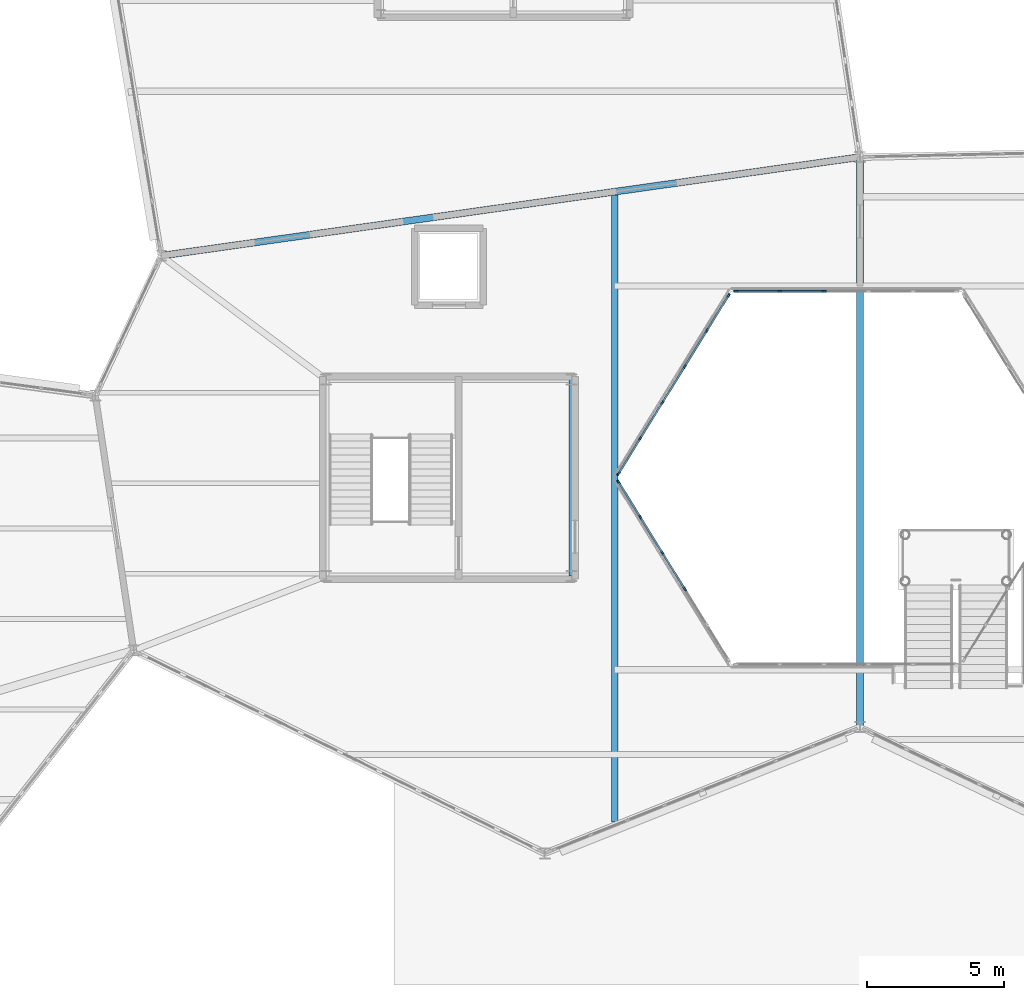
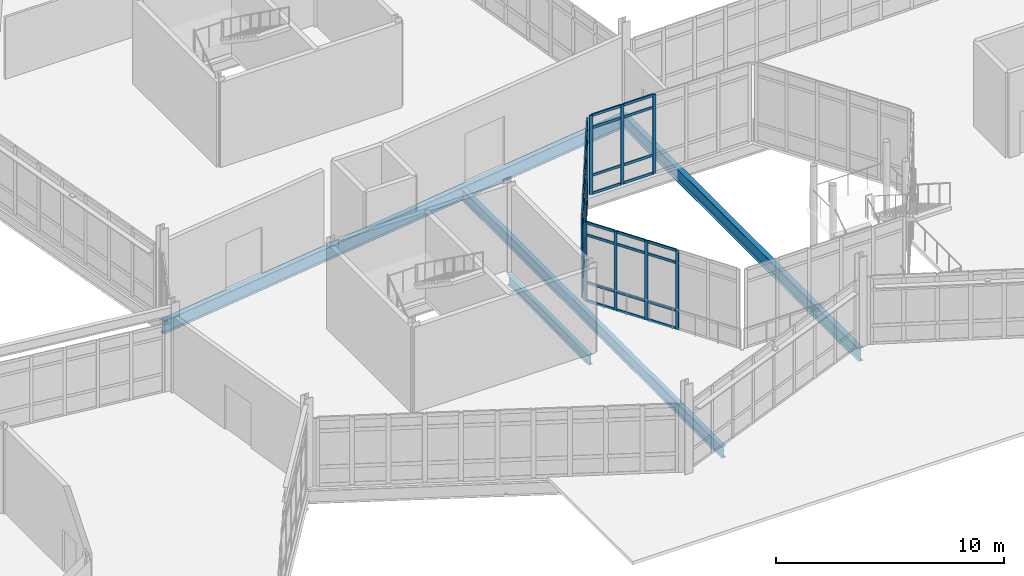
# One storey, part 43 of 134: 53 members, 4 beams, 3 elements without a shape of their own.
"""IFC4 building model written with IfcOpenShell, lengths in metres."""

from ifc_helpers import new_model, si_unit, direction, frame, origin, origin_2d, place, context, subcontext, project, spatial, rectangle, i_section, extrude, material, material_profile, profile_set, type_object, element, aggregate, save


model = new_model("IFC4")

# Units and contexts
model_context = context("Model", 3, precision=1e-05, world=origin(), true_north=direction((0.0, 1.0)))
body_context = subcontext(model_context, "Body", "Model", "MODEL_VIEW")
ifc_project = project(units=[si_unit("LENGTHUNIT", "METRE"), si_unit("AREAUNIT", "SQUARE_METRE"), si_unit("VOLUMEUNIT", "CUBIC_METRE"), si_unit("PLANEANGLEUNIT", "RADIAN"), si_unit("MASSUNIT", "GRAM", prefix="KILO")], contexts=[model_context])

# Site, building, storey
site_placement = place(None, origin())
site = spatial("IfcSite", under=ifc_project, at=site_placement, CompositionType="ELEMENT")
building_placement = place(site_placement, origin())
building = spatial("IfcBuilding", under=site, at=building_placement, Name="Tameran Prism Museum", CompositionType="ELEMENT")
storey_placement = place(building_placement, frame((0.0, 0.0, 5.39990234375)))
storey = spatial("IfcBuildingStorey", under=building, at=storey_placement, Name="L01", CompositionType="ELEMENT", Elevation=5.39990234375)

# Beams
ifc_material_1 = material(Name="Steel Grade 300PLUS (300 MPa)", Category="steel")
ifc_material_profile_1 = material_profile(ifc_material_1, i_section(OverallWidth=0.208984375, OverallDepth=0.528076171875, WebThickness=0.009521484375, FlangeThickness=0.01318359375, FilletRadius=0.013916015625, at=origin_2d()))
ifc_profile_set_1 = profile_set([ifc_material_profile_1])
beam_type_1 = type_object("IfcBeamType", Name="BM-SP530B", PredefinedType="SPANDREL", material=ifc_profile_set_1)
beam_1_placement = place(storey_placement, frame((66.97998046875, 32.919921875, -0.50390625), z_axis=(0.0, 1.0, 0.0), x_axis=(-1.0, 0.0, 0.0)))
element("IfcBeam", 1, at=beam_1_placement, inside=storey, type_object=beam_type_1, Name="Core Ring Beam CTB-0451", PredefinedType="SPANDREL", context=body_context, shape_type="SweptSolid", body=[
    extrude(i_section(OverallWidth=0.208984375, OverallDepth=0.528076171875, WebThickness=0.009521484375, FlangeThickness=0.01318359375, FilletRadius=0.013916015625, at=origin_2d()), origin(), (0.0, 0.0, 1.0), 7.16015625),
])
ifc_material_2 = material(Name="Steel Grade 350 (350 MPa)", Category="steel")
ifc_material_profile_2 = material_profile(ifc_material_2, i_section(OverallWidth=0.25, OverallDepth=0.699951171875, WebThickness=0.010009765625, FlangeThickness=0.02001953125, at=origin_2d()))
ifc_profile_set_2 = profile_set([ifc_material_profile_2])
beam_type_2 = type_object("IfcBeamType", Name="BM-SP700", PredefinedType="SPANDREL", material=ifc_profile_set_2)
beam_2_placement = place(storey_placement, frame((77.5, 27.39990234375, -0.5498046875), z_axis=(0.0, 1.0, 0.0), x_axis=(-1.0, 0.0, 0.0)))
element("IfcBeam", 2, at=beam_2_placement, inside=storey, type_object=beam_type_2, Name="Perimeter Spandrel SP-0348", PredefinedType="SPANDREL", context=body_context, shape_type="SweptSolid", body=[
    extrude(i_section(OverallWidth=0.25, OverallDepth=0.699951171875, WebThickness=0.010009765625, FlangeThickness=0.02001953125, at=origin_2d()), origin(), (0.0, 0.0, 1.0), 20.800048828125),
])
beam_3_placement = place(storey_placement, frame((77.5, 48.199951171875, -0.5498046875), z_axis=(-0.990181921375, -0.139784700815, 0.0), x_axis=(0.139784700815, -0.990181921375, 0.0)))
element("IfcBeam", 3, at=beam_3_placement, inside=storey, type_object=beam_type_2, Name="Perimeter Spandrel SP-0349", PredefinedType="SPANDREL", context=body_context, shape_type="SweptSolid", body=[
    extrude(i_section(OverallWidth=0.25, OverallDepth=0.699951171875, WebThickness=0.010009765625, FlangeThickness=0.02001953125, at=origin_2d()), origin(), (0.0, 0.0, 1.0), 25.7529296875),
])
ifc_material_3 = material(Name="Steel Grade 300PLUS (300 MPa)", Category="steel")
ifc_material_profile_3 = material_profile(ifc_material_3, i_section(OverallWidth=0.22900390625, OverallDepth=0.612060546875, WebThickness=0.011962890625, FlangeThickness=0.01953125, FilletRadius=0.013916015625, at=origin_2d()))
ifc_profile_set_3 = profile_set([ifc_material_profile_3])
beam_type_3 = type_object("IfcBeamType", Name="BM-UB610A", PredefinedType="BEAM", material=ifc_profile_set_3)
beam_4_placement = place(storey_placement, frame((68.550048828125, 23.93798828125, -0.5458984375), z_axis=(0.0, 1.0, 0.0), x_axis=(-1.0, 0.0, 0.0)))
element("IfcBeam", 4, at=beam_4_placement, inside=storey, type_object=beam_type_3, Name="Atrium Opening Trimmer Girder AT-0496", PredefinedType="BEAM", context=body_context, shape_type="SweptSolid", body=[
    extrude(i_section(OverallWidth=0.22900390625, OverallDepth=0.612060546875, WebThickness=0.011962890625, FlangeThickness=0.01953125, FilletRadius=0.013916015625, at=origin_2d()), origin(), (0.0, 0.0, 1.0), 22.886962890625),
])

# Curtain wall, members
ifc_material_4 = material(Name="Anodised Aluminium 6063-T6 and Cyclone Solar Glass", Category="aluminium")
curtain_wall_type_1 = type_object("IfcCurtainWallType", Name="CW-ATR-769x424", PredefinedType="USERDEFINED", material=ifc_material_4)
curtain_wall_1_placement = place(storey_placement, origin())
curtain_wall_1 = element("IfcCurtainWall", 5, at=curtain_wall_1_placement, inside=storey, type_object=curtain_wall_type_1, Name="Unitised Curtain Wall CW-001", ObjectType="UNITISED CURTAIN WALL", PredefinedType="USERDEFINED")
ifc_material_5 = material(Name="Anodised Aluminium Alloy 6063-T6", Category="aluminium")
ifc_material_profile_4 = material_profile(ifc_material_5, rectangle(XDim=0.06494140625, YDim=0.159912109375, at=origin_2d()))
ifc_profile_set_4 = profile_set([ifc_material_profile_4])
member_type_1 = type_object("IfcMemberType", Name="CW-MUL-A", PredefinedType="MULLION", material=ifc_profile_set_4)
member_1_placement = place(storey_placement, frame((68.696044921875, 36.34423828125, 0.0), z_axis=(0.0, 0.0, 1.0), x_axis=(0.850791158897, 0.525503952357, 0.0)))
member_1 = element("IfcMember", 6, at=member_1_placement, type_object=member_type_1, Name="CW-001 mullion 1", PredefinedType="MULLION", context=body_context, shape_type="SweptSolid", body=[
    extrude(rectangle(XDim=0.06494140625, YDim=0.159912109375, at=origin_2d()), origin(), (0.0, 0.0, 1.0), 4.239990234375),
])
member_2_placement = place(storey_placement, frame((69.4873046875, 35.063232421875, 0.0), z_axis=(0.0, 0.0, 1.0), x_axis=(0.850791158897, 0.525503952357, 0.0)))
member_2 = element("IfcMember", 7, at=member_2_placement, type_object=member_type_1, Name="CW-001 mullion 2", PredefinedType="MULLION", context=body_context, shape_type="SweptSolid", body=[
    extrude(rectangle(XDim=0.06494140625, YDim=0.159912109375, at=origin_2d()), origin(), (0.0, 0.0, 1.0), 4.239990234375),
])
member_3_placement = place(storey_placement, frame((70.2958984375, 33.75439453125, 0.0), z_axis=(0.0, 0.0, 1.0), x_axis=(0.850791158897, 0.525503952357, 0.0)))
member_3 = element("IfcMember", 8, at=member_3_placement, type_object=member_type_1, Name="CW-001 mullion 3", PredefinedType="MULLION", context=body_context, shape_type="SweptSolid", body=[
    extrude(rectangle(XDim=0.06494140625, YDim=0.159912109375, at=origin_2d()), origin(), (0.0, 0.0, 1.0), 4.239990234375),
])
member_4_placement = place(storey_placement, frame((71.104248046875, 32.445556640625, 0.0), z_axis=(0.0, 0.0, 1.0), x_axis=(0.850791158897, 0.525503952357, 0.0)))
member_4 = element("IfcMember", 9, at=member_4_placement, type_object=member_type_1, Name="CW-001 mullion 4", PredefinedType="MULLION", context=body_context, shape_type="SweptSolid", body=[
    extrude(rectangle(XDim=0.06494140625, YDim=0.159912109375, at=origin_2d()), origin(), (0.0, 0.0, 1.0), 4.239990234375),
])

ifc_material_6 = material(Name="Anodised Aluminium 6063-T6 and Cyclone Solar Glass", Category="aluminium")
curtain_wall_type_2 = type_object("IfcCurtainWallType", Name="CW-ATR-810x424", PredefinedType="USERDEFINED", material=ifc_material_6)
curtain_wall_2_placement = place(storey_placement, origin())
curtain_wall_2 = element("IfcCurtainWall", 10, at=curtain_wall_2_placement, inside=storey, type_object=curtain_wall_type_2, Name="Unitised Curtain Wall CW-005", ObjectType="UNITISED CURTAIN WALL", PredefinedType="USERDEFINED")
member_5_placement = place(storey_placement, frame((76.18994140625, 43.300048828125, 0.0), z_axis=(0.0, 0.0, 1.0), x_axis=(0.0, -1.0, 0.0)))
member_5 = element("IfcMember", 11, at=member_5_placement, type_object=member_type_1, Name="CW-005 mullion 4", PredefinedType="MULLION", context=body_context, shape_type="SweptSolid", body=[
    extrude(rectangle(XDim=0.06494140625, YDim=0.159912109375, at=origin_2d()), origin(), (0.0, 0.0, 1.0), 4.239990234375),
])
member_6_placement = place(storey_placement, frame((74.570068359375, 43.300048828125, 0.0), z_axis=(0.0, 0.0, 1.0), x_axis=(0.0, -1.0, 0.0)))
member_6 = element("IfcMember", 12, at=member_6_placement, type_object=member_type_1, Name="CW-005 mullion 5", PredefinedType="MULLION", context=body_context, shape_type="SweptSolid", body=[
    extrude(rectangle(XDim=0.06494140625, YDim=0.159912109375, at=origin_2d()), origin(), (0.0, 0.0, 1.0), 4.239990234375),
])
member_7_placement = place(storey_placement, frame((72.982421875, 43.300048828125, 0.0), z_axis=(0.0, 0.0, 1.0), x_axis=(0.0, -1.0, 0.0)))
member_7 = element("IfcMember", 13, at=member_7_placement, type_object=member_type_1, Name="CW-005 mullion 6", PredefinedType="MULLION", context=body_context, shape_type="SweptSolid", body=[
    extrude(rectangle(XDim=0.06494140625, YDim=0.159912109375, at=origin_2d()), origin(), (0.0, 0.0, 1.0), 4.239990234375),
])

curtain_wall_3_placement = place(storey_placement, origin())
curtain_wall_3 = element("IfcCurtainWall", 14, at=curtain_wall_3_placement, inside=storey, type_object=curtain_wall_type_1, Name="Unitised Curtain Wall CW-006", ObjectType="UNITISED CURTAIN WALL", PredefinedType="USERDEFINED")
member_8_placement = place(storey_placement, frame((72.703857421875, 43.144287109375, 0.0), z_axis=(0.0, 0.0, 1.0), x_axis=(0.850791158897, -0.525503952357, 0.0)))
member_8 = element("IfcMember", 15, at=member_8_placement, type_object=member_type_1, Name="CW-006 mullion 1", PredefinedType="MULLION", context=body_context, shape_type="SweptSolid", body=[
    extrude(rectangle(XDim=0.06494140625, YDim=0.159912109375, at=origin_2d()), origin(), (0.0, 0.0, 1.0), 4.239990234375),
])
member_9_placement = place(storey_placement, frame((71.91259765625, 41.86328125, 0.0), z_axis=(0.0, 0.0, 1.0), x_axis=(0.850791158897, -0.525503952357, 0.0)))
member_9 = element("IfcMember", 16, at=member_9_placement, type_object=member_type_1, Name="CW-006 mullion 2", PredefinedType="MULLION", context=body_context, shape_type="SweptSolid", body=[
    extrude(rectangle(XDim=0.06494140625, YDim=0.159912109375, at=origin_2d()), origin(), (0.0, 0.0, 1.0), 4.239990234375),
])
member_10_placement = place(storey_placement, frame((71.104248046875, 40.554443359375, 0.0), z_axis=(0.0, 0.0, 1.0), x_axis=(0.850791158897, -0.525503952357, 0.0)))
member_10 = element("IfcMember", 17, at=member_10_placement, type_object=member_type_1, Name="CW-006 mullion 3", PredefinedType="MULLION", context=body_context, shape_type="SweptSolid", body=[
    extrude(rectangle(XDim=0.06494140625, YDim=0.159912109375, at=origin_2d()), origin(), (0.0, 0.0, 1.0), 4.239990234375),
])
member_11_placement = place(storey_placement, frame((70.2958984375, 39.24560546875, 0.0), z_axis=(0.0, 0.0, 1.0), x_axis=(0.850791158897, -0.525503952357, 0.0)))
member_11 = element("IfcMember", 18, at=member_11_placement, type_object=member_type_1, Name="CW-006 mullion 4", PredefinedType="MULLION", context=body_context, shape_type="SweptSolid", body=[
    extrude(rectangle(XDim=0.06494140625, YDim=0.159912109375, at=origin_2d()), origin(), (0.0, 0.0, 1.0), 4.239990234375),
])
member_12_placement = place(storey_placement, frame((69.4873046875, 37.936767578125, 0.0), z_axis=(0.0, 0.0, 1.0), x_axis=(0.850791158897, -0.525503952357, 0.0)))
member_12 = element("IfcMember", 19, at=member_12_placement, type_object=member_type_1, Name="CW-006 mullion 5", PredefinedType="MULLION", context=body_context, shape_type="SweptSolid", body=[
    extrude(rectangle(XDim=0.06494140625, YDim=0.159912109375, at=origin_2d()), origin(), (0.0, 0.0, 1.0), 4.239990234375),
])
member_13_placement = place(storey_placement, frame((68.696044921875, 36.65576171875, 0.0), z_axis=(0.0, 0.0, 1.0), x_axis=(0.850791158897, -0.525503952357, 0.0)))
member_13 = element("IfcMember", 20, at=member_13_placement, type_object=member_type_1, Name="CW-006 mullion 6", PredefinedType="MULLION", context=body_context, shape_type="SweptSolid", body=[
    extrude(rectangle(XDim=0.06494140625, YDim=0.159912109375, at=origin_2d()), origin(), (0.0, 0.0, 1.0), 4.239990234375),
])

# Member
ifc_material_7 = material(Name="Anodised Aluminium Alloy 6063-T6", Category="aluminium")
ifc_material_profile_5 = material_profile(ifc_material_7, rectangle(XDim=0.06494140625, YDim=0.139892578125, at=origin_2d()))
ifc_profile_set_5 = profile_set([ifc_material_profile_5])
member_type_2 = type_object("IfcMemberType", Name="CW-TRN-A", PredefinedType="USERDEFINED", material=ifc_profile_set_5)
member_14_placement = place(storey_placement, frame((68.713134765625, 36.316650390625, 0.03271484375), z_axis=(0.525467627301, -0.850813594543, 0.0), x_axis=(0.850813594543, 0.525467627301, 0.0)))
member_14 = element("IfcMember", 21, at=member_14_placement, type_object=member_type_2, Name="CW-001 transom 1.1", ObjectType="TRANSOM", PredefinedType="USERDEFINED", context=body_context, shape_type="SweptSolid", body=[
    extrude(rectangle(XDim=0.06494140625, YDim=0.139892578125, at=origin_2d()), origin(), (0.0, 0.0, 1.0), 1.440673828125),
])

member_15_placement = place(storey_placement, frame((68.713134765625, 36.316650390625, 1.0), z_axis=(0.525467627301, -0.850813594543, 0.0), x_axis=(0.850813594543, 0.525467627301, 0.0)))
member_15 = element("IfcMember", 22, at=member_15_placement, type_object=member_type_2, Name="CW-001 transom 1.2", ObjectType="TRANSOM", PredefinedType="USERDEFINED", context=body_context, shape_type="SweptSolid", body=[
    extrude(rectangle(XDim=0.06494140625, YDim=0.139892578125, at=origin_2d()), origin(), (0.0, 0.0, 1.0), 1.440673828125),
])

member_16_placement = place(storey_placement, frame((68.713134765625, 36.316650390625, 3.56005859375), z_axis=(0.525467627301, -0.850813594543, 0.0), x_axis=(0.850813594543, 0.525467627301, 0.0)))
member_16 = element("IfcMember", 23, at=member_16_placement, type_object=member_type_2, Name="CW-001 transom 1.3", ObjectType="TRANSOM", PredefinedType="USERDEFINED", context=body_context, shape_type="SweptSolid", body=[
    extrude(rectangle(XDim=0.06494140625, YDim=0.139892578125, at=origin_2d()), origin(), (0.0, 0.0, 1.0), 1.440673828125),
])

member_17_placement = place(storey_placement, frame((68.713134765625, 36.316650390625, 4.20751953125), z_axis=(0.525467627301, -0.850813594543, 0.0), x_axis=(0.850813594543, 0.525467627301, 0.0)))
member_17 = element("IfcMember", 24, at=member_17_placement, type_object=member_type_2, Name="CW-001 transom 1.4", ObjectType="TRANSOM", PredefinedType="USERDEFINED", context=body_context, shape_type="SweptSolid", body=[
    extrude(rectangle(XDim=0.06494140625, YDim=0.139892578125, at=origin_2d()), origin(), (0.0, 0.0, 1.0), 1.440673828125),
])

member_18_placement = place(storey_placement, frame((69.50439453125, 35.03564453125, 0.03271484375), z_axis=(0.525538735192, -0.850769673774, 0.0), x_axis=(0.850769673774, 0.525538735192, 0.0)))
member_18 = element("IfcMember", 25, at=member_18_placement, type_object=member_type_2, Name="CW-001 transom 2.1", ObjectType="TRANSOM", PredefinedType="USERDEFINED", context=body_context, shape_type="SweptSolid", body=[
    extrude(rectangle(XDim=0.06494140625, YDim=0.139892578125, at=origin_2d()), origin(), (0.0, 0.0, 1.0), 1.4736328125),
])

member_19_placement = place(storey_placement, frame((69.50439453125, 35.03564453125, 1.0), z_axis=(0.525538735192, -0.850769673774, 0.0), x_axis=(0.850769673774, 0.525538735192, 0.0)))
member_19 = element("IfcMember", 26, at=member_19_placement, type_object=member_type_2, Name="CW-001 transom 2.2", ObjectType="TRANSOM", PredefinedType="USERDEFINED", context=body_context, shape_type="SweptSolid", body=[
    extrude(rectangle(XDim=0.06494140625, YDim=0.139892578125, at=origin_2d()), origin(), (0.0, 0.0, 1.0), 1.4736328125),
])

member_20_placement = place(storey_placement, frame((69.50439453125, 35.03564453125, 3.56005859375), z_axis=(0.525538735192, -0.850769673774, 0.0), x_axis=(0.850769673774, 0.525538735192, 0.0)))
member_20 = element("IfcMember", 27, at=member_20_placement, type_object=member_type_2, Name="CW-001 transom 2.3", ObjectType="TRANSOM", PredefinedType="USERDEFINED", context=body_context, shape_type="SweptSolid", body=[
    extrude(rectangle(XDim=0.06494140625, YDim=0.139892578125, at=origin_2d()), origin(), (0.0, 0.0, 1.0), 1.4736328125),
])

member_21_placement = place(storey_placement, frame((69.50439453125, 35.03564453125, 4.20751953125), z_axis=(0.525538735192, -0.850769673774, 0.0), x_axis=(0.850769673774, 0.525538735192, 0.0)))
member_21 = element("IfcMember", 28, at=member_21_placement, type_object=member_type_2, Name="CW-001 transom 2.4", ObjectType="TRANSOM", PredefinedType="USERDEFINED", context=body_context, shape_type="SweptSolid", body=[
    extrude(rectangle(XDim=0.06494140625, YDim=0.139892578125, at=origin_2d()), origin(), (0.0, 0.0, 1.0), 1.4736328125),
])

member_22_placement = place(storey_placement, frame((70.31298828125, 33.726806640625, 0.03271484375), z_axis=(0.525418798442, -0.850843749606, 0.0), x_axis=(0.850843749606, 0.525418798442, 0.0)))
member_22 = element("IfcMember", 29, at=member_22_placement, type_object=member_type_2, Name="CW-001 transom 3.1", ObjectType="TRANSOM", PredefinedType="USERDEFINED", context=body_context, shape_type="SweptSolid", body=[
    extrude(rectangle(XDim=0.06494140625, YDim=0.139892578125, at=origin_2d()), origin(), (0.0, 0.0, 1.0), 1.473388671875),
])

member_23_placement = place(storey_placement, frame((70.31298828125, 33.726806640625, 1.0), z_axis=(0.525418798442, -0.850843749606, 0.0), x_axis=(0.850843749606, 0.525418798442, 0.0)))
member_23 = element("IfcMember", 30, at=member_23_placement, type_object=member_type_2, Name="CW-001 transom 3.2", ObjectType="TRANSOM", PredefinedType="USERDEFINED", context=body_context, shape_type="SweptSolid", body=[
    extrude(rectangle(XDim=0.06494140625, YDim=0.139892578125, at=origin_2d()), origin(), (0.0, 0.0, 1.0), 1.473388671875),
])

member_24_placement = place(storey_placement, frame((70.31298828125, 33.726806640625, 3.56005859375), z_axis=(0.525418798442, -0.850843749606, 0.0), x_axis=(0.850843749606, 0.525418798442, 0.0)))
member_24 = element("IfcMember", 31, at=member_24_placement, type_object=member_type_2, Name="CW-001 transom 3.3", ObjectType="TRANSOM", PredefinedType="USERDEFINED", context=body_context, shape_type="SweptSolid", body=[
    extrude(rectangle(XDim=0.06494140625, YDim=0.139892578125, at=origin_2d()), origin(), (0.0, 0.0, 1.0), 1.473388671875),
])

member_25_placement = place(storey_placement, frame((70.31298828125, 33.726806640625, 4.20751953125), z_axis=(0.525418798442, -0.850843749606, 0.0), x_axis=(0.850843749606, 0.525418798442, 0.0)))
member_25 = element("IfcMember", 32, at=member_25_placement, type_object=member_type_2, Name="CW-001 transom 3.4", ObjectType="TRANSOM", PredefinedType="USERDEFINED", context=body_context, shape_type="SweptSolid", body=[
    extrude(rectangle(XDim=0.06494140625, YDim=0.139892578125, at=origin_2d()), origin(), (0.0, 0.0, 1.0), 1.473388671875),
])

aggregate(curtain_wall_1, [member_1, member_2, member_3, member_4, member_14, member_15, member_16, member_17, member_18, member_19, member_20, member_21, member_22, member_23, member_24, member_25])

member_26_placement = place(storey_placement, frame((76.157470703125, 43.300048828125, 0.03271484375), z_axis=(-1.0, 0.0, 0.0), x_axis=(0.0, -1.0, 0.0)))
member_26 = element("IfcMember", 33, at=member_26_placement, type_object=member_type_2, Name="CW-005 transom 4.1", ObjectType="TRANSOM", PredefinedType="USERDEFINED", context=body_context, shape_type="SweptSolid", body=[
    extrude(rectangle(XDim=0.06494140625, YDim=0.139892578125, at=origin_2d()), origin(), (0.0, 0.0, 1.0), 1.554931640625),
])

member_27_placement = place(storey_placement, frame((76.157470703125, 43.300048828125, 1.0), z_axis=(-1.0, 0.0, 0.0), x_axis=(0.0, -1.0, 0.0)))
member_27 = element("IfcMember", 34, at=member_27_placement, type_object=member_type_2, Name="CW-005 transom 4.2", ObjectType="TRANSOM", PredefinedType="USERDEFINED", context=body_context, shape_type="SweptSolid", body=[
    extrude(rectangle(XDim=0.06494140625, YDim=0.139892578125, at=origin_2d()), origin(), (0.0, 0.0, 1.0), 1.554931640625),
])

member_28_placement = place(storey_placement, frame((76.157470703125, 43.300048828125, 3.56005859375), z_axis=(-1.0, 0.0, 0.0), x_axis=(0.0, -1.0, 0.0)))
member_28 = element("IfcMember", 35, at=member_28_placement, type_object=member_type_2, Name="CW-005 transom 4.3", ObjectType="TRANSOM", PredefinedType="USERDEFINED", context=body_context, shape_type="SweptSolid", body=[
    extrude(rectangle(XDim=0.06494140625, YDim=0.139892578125, at=origin_2d()), origin(), (0.0, 0.0, 1.0), 1.554931640625),
])

member_29_placement = place(storey_placement, frame((76.157470703125, 43.300048828125, 4.20751953125), z_axis=(-1.0, 0.0, 0.0), x_axis=(0.0, -1.0, 0.0)))
member_29 = element("IfcMember", 36, at=member_29_placement, type_object=member_type_2, Name="CW-005 transom 4.4", ObjectType="TRANSOM", PredefinedType="USERDEFINED", context=body_context, shape_type="SweptSolid", body=[
    extrude(rectangle(XDim=0.06494140625, YDim=0.139892578125, at=origin_2d()), origin(), (0.0, 0.0, 1.0), 1.554931640625),
])

member_30_placement = place(storey_placement, frame((74.53759765625, 43.300048828125, 0.03271484375), z_axis=(-1.0, 0.0, 0.0), x_axis=(0.0, -1.0, 0.0)))
member_30 = element("IfcMember", 37, at=member_30_placement, type_object=member_type_2, Name="CW-005 transom 5.1", ObjectType="TRANSOM", PredefinedType="USERDEFINED", context=body_context, shape_type="SweptSolid", body=[
    extrude(rectangle(XDim=0.06494140625, YDim=0.139892578125, at=origin_2d()), origin(), (0.0, 0.0, 1.0), 1.522705078125),
])

member_31_placement = place(storey_placement, frame((74.53759765625, 43.300048828125, 1.0), z_axis=(-1.0, 0.0, 0.0), x_axis=(0.0, -1.0, 0.0)))
member_31 = element("IfcMember", 38, at=member_31_placement, type_object=member_type_2, Name="CW-005 transom 5.2", ObjectType="TRANSOM", PredefinedType="USERDEFINED", context=body_context, shape_type="SweptSolid", body=[
    extrude(rectangle(XDim=0.06494140625, YDim=0.139892578125, at=origin_2d()), origin(), (0.0, 0.0, 1.0), 1.522705078125),
])

member_32_placement = place(storey_placement, frame((74.53759765625, 43.300048828125, 3.56005859375), z_axis=(-1.0, 0.0, 0.0), x_axis=(0.0, -1.0, 0.0)))
member_32 = element("IfcMember", 39, at=member_32_placement, type_object=member_type_2, Name="CW-005 transom 5.3", ObjectType="TRANSOM", PredefinedType="USERDEFINED", context=body_context, shape_type="SweptSolid", body=[
    extrude(rectangle(XDim=0.06494140625, YDim=0.139892578125, at=origin_2d()), origin(), (0.0, 0.0, 1.0), 1.522705078125),
])

member_33_placement = place(storey_placement, frame((74.53759765625, 43.300048828125, 4.20751953125), z_axis=(-1.0, 0.0, 0.0), x_axis=(0.0, -1.0, 0.0)))
member_33 = element("IfcMember", 40, at=member_33_placement, type_object=member_type_2, Name="CW-005 transom 5.4", ObjectType="TRANSOM", PredefinedType="USERDEFINED", context=body_context, shape_type="SweptSolid", body=[
    extrude(rectangle(XDim=0.06494140625, YDim=0.139892578125, at=origin_2d()), origin(), (0.0, 0.0, 1.0), 1.522705078125),
])

aggregate(curtain_wall_2, [member_5, member_6, member_7, member_26, member_27, member_28, member_29, member_30, member_31, member_32, member_33])

member_34_placement = place(storey_placement, frame((72.686767578125, 43.11669921875, 0.03271484375), z_axis=(-0.525467627301, -0.850813594543, 0.0), x_axis=(0.850813594543, -0.525467627301, 0.0)))
member_34 = element("IfcMember", 41, at=member_34_placement, type_object=member_type_2, Name="CW-006 transom 1.1", ObjectType="TRANSOM", PredefinedType="USERDEFINED", context=body_context, shape_type="SweptSolid", body=[
    extrude(rectangle(XDim=0.06494140625, YDim=0.139892578125, at=origin_2d()), origin(), (0.0, 0.0, 1.0), 1.440673828125),
])

member_35_placement = place(storey_placement, frame((72.686767578125, 43.11669921875, 1.0), z_axis=(-0.525467627301, -0.850813594543, 0.0), x_axis=(0.850813594543, -0.525467627301, 0.0)))
member_35 = element("IfcMember", 42, at=member_35_placement, type_object=member_type_2, Name="CW-006 transom 1.2", ObjectType="TRANSOM", PredefinedType="USERDEFINED", context=body_context, shape_type="SweptSolid", body=[
    extrude(rectangle(XDim=0.06494140625, YDim=0.139892578125, at=origin_2d()), origin(), (0.0, 0.0, 1.0), 1.440673828125),
])

member_36_placement = place(storey_placement, frame((72.686767578125, 43.11669921875, 3.56005859375), z_axis=(-0.525467627301, -0.850813594543, 0.0), x_axis=(0.850813594543, -0.525467627301, 0.0)))
member_36 = element("IfcMember", 43, at=member_36_placement, type_object=member_type_2, Name="CW-006 transom 1.3", ObjectType="TRANSOM", PredefinedType="USERDEFINED", context=body_context, shape_type="SweptSolid", body=[
    extrude(rectangle(XDim=0.06494140625, YDim=0.139892578125, at=origin_2d()), origin(), (0.0, 0.0, 1.0), 1.440673828125),
])

member_37_placement = place(storey_placement, frame((72.686767578125, 43.11669921875, 4.20751953125), z_axis=(-0.525467627301, -0.850813594543, 0.0), x_axis=(0.850813594543, -0.525467627301, 0.0)))
member_37 = element("IfcMember", 44, at=member_37_placement, type_object=member_type_2, Name="CW-006 transom 1.4", ObjectType="TRANSOM", PredefinedType="USERDEFINED", context=body_context, shape_type="SweptSolid", body=[
    extrude(rectangle(XDim=0.06494140625, YDim=0.139892578125, at=origin_2d()), origin(), (0.0, 0.0, 1.0), 1.440673828125),
])

member_38_placement = place(storey_placement, frame((71.8955078125, 41.83544921875, 0.03271484375), z_axis=(-0.525492880722, -0.850797997359, 0.0), x_axis=(0.850797997359, -0.525492880722, 0.0)))
member_38 = element("IfcMember", 45, at=member_38_placement, type_object=member_type_2, Name="CW-006 transom 2.1", ObjectType="TRANSOM", PredefinedType="USERDEFINED", context=body_context, shape_type="SweptSolid", body=[
    extrude(rectangle(XDim=0.06494140625, YDim=0.139892578125, at=origin_2d()), origin(), (0.0, 0.0, 1.0), 1.47314453125),
])

member_39_placement = place(storey_placement, frame((71.8955078125, 41.83544921875, 1.0), z_axis=(-0.525492880722, -0.850797997359, 0.0), x_axis=(0.850797997359, -0.525492880722, 0.0)))
member_39 = element("IfcMember", 46, at=member_39_placement, type_object=member_type_2, Name="CW-006 transom 2.2", ObjectType="TRANSOM", PredefinedType="USERDEFINED", context=body_context, shape_type="SweptSolid", body=[
    extrude(rectangle(XDim=0.06494140625, YDim=0.139892578125, at=origin_2d()), origin(), (0.0, 0.0, 1.0), 1.47314453125),
])

member_40_placement = place(storey_placement, frame((71.8955078125, 41.83544921875, 3.56005859375), z_axis=(-0.525492880722, -0.850797997359, 0.0), x_axis=(0.850797997359, -0.525492880722, 0.0)))
member_40 = element("IfcMember", 47, at=member_40_placement, type_object=member_type_2, Name="CW-006 transom 2.3", ObjectType="TRANSOM", PredefinedType="USERDEFINED", context=body_context, shape_type="SweptSolid", body=[
    extrude(rectangle(XDim=0.06494140625, YDim=0.139892578125, at=origin_2d()), origin(), (0.0, 0.0, 1.0), 1.47314453125),
])

member_41_placement = place(storey_placement, frame((71.8955078125, 41.83544921875, 4.20751953125), z_axis=(-0.525492880722, -0.850797997359, 0.0), x_axis=(0.850797997359, -0.525492880722, 0.0)))
member_41 = element("IfcMember", 48, at=member_41_placement, type_object=member_type_2, Name="CW-006 transom 2.4", ObjectType="TRANSOM", PredefinedType="USERDEFINED", context=body_context, shape_type="SweptSolid", body=[
    extrude(rectangle(XDim=0.06494140625, YDim=0.139892578125, at=origin_2d()), origin(), (0.0, 0.0, 1.0), 1.47314453125),
])

member_42_placement = place(storey_placement, frame((71.087158203125, 40.52685546875, 0.03271484375), z_axis=(-0.525418798442, -0.850843749606, 0.0), x_axis=(0.850843749606, -0.525418798442, 0.0)))
member_42 = element("IfcMember", 49, at=member_42_placement, type_object=member_type_2, Name="CW-006 transom 3.1", ObjectType="TRANSOM", PredefinedType="USERDEFINED", context=body_context, shape_type="SweptSolid", body=[
    extrude(rectangle(XDim=0.06494140625, YDim=0.139892578125, at=origin_2d()), origin(), (0.0, 0.0, 1.0), 1.473388671875),
])

member_43_placement = place(storey_placement, frame((71.087158203125, 40.52685546875, 1.0), z_axis=(-0.525418798442, -0.850843749606, 0.0), x_axis=(0.850843749606, -0.525418798442, 0.0)))
member_43 = element("IfcMember", 50, at=member_43_placement, type_object=member_type_2, Name="CW-006 transom 3.2", ObjectType="TRANSOM", PredefinedType="USERDEFINED", context=body_context, shape_type="SweptSolid", body=[
    extrude(rectangle(XDim=0.06494140625, YDim=0.139892578125, at=origin_2d()), origin(), (0.0, 0.0, 1.0), 1.473388671875),
])

member_44_placement = place(storey_placement, frame((71.087158203125, 40.52685546875, 3.56005859375), z_axis=(-0.525418798442, -0.850843749606, 0.0), x_axis=(0.850843749606, -0.525418798442, 0.0)))
member_44 = element("IfcMember", 51, at=member_44_placement, type_object=member_type_2, Name="CW-006 transom 3.3", ObjectType="TRANSOM", PredefinedType="USERDEFINED", context=body_context, shape_type="SweptSolid", body=[
    extrude(rectangle(XDim=0.06494140625, YDim=0.139892578125, at=origin_2d()), origin(), (0.0, 0.0, 1.0), 1.473388671875),
])

member_45_placement = place(storey_placement, frame((71.087158203125, 40.52685546875, 4.20751953125), z_axis=(-0.525418798442, -0.850843749606, 0.0), x_axis=(0.850843749606, -0.525418798442, 0.0)))
member_45 = element("IfcMember", 52, at=member_45_placement, type_object=member_type_2, Name="CW-006 transom 3.4", ObjectType="TRANSOM", PredefinedType="USERDEFINED", context=body_context, shape_type="SweptSolid", body=[
    extrude(rectangle(XDim=0.06494140625, YDim=0.139892578125, at=origin_2d()), origin(), (0.0, 0.0, 1.0), 1.473388671875),
])

member_46_placement = place(storey_placement, frame((70.27880859375, 39.218017578125, 0.03271484375), z_axis=(-0.525538735192, -0.850769673774, 0.0), x_axis=(0.850769673774, -0.525538735192, 0.0)))
member_46 = element("IfcMember", 53, at=member_46_placement, type_object=member_type_2, Name="CW-006 transom 4.1", ObjectType="TRANSOM", PredefinedType="USERDEFINED", context=body_context, shape_type="SweptSolid", body=[
    extrude(rectangle(XDim=0.06494140625, YDim=0.139892578125, at=origin_2d()), origin(), (0.0, 0.0, 1.0), 1.4736328125),
])

member_47_placement = place(storey_placement, frame((70.27880859375, 39.218017578125, 1.0), z_axis=(-0.525538735192, -0.850769673774, 0.0), x_axis=(0.850769673774, -0.525538735192, 0.0)))
member_47 = element("IfcMember", 54, at=member_47_placement, type_object=member_type_2, Name="CW-006 transom 4.2", ObjectType="TRANSOM", PredefinedType="USERDEFINED", context=body_context, shape_type="SweptSolid", body=[
    extrude(rectangle(XDim=0.06494140625, YDim=0.139892578125, at=origin_2d()), origin(), (0.0, 0.0, 1.0), 1.4736328125),
])

member_48_placement = place(storey_placement, frame((70.27880859375, 39.218017578125, 3.56005859375), z_axis=(-0.525538735192, -0.850769673774, 0.0), x_axis=(0.850769673774, -0.525538735192, 0.0)))
member_48 = element("IfcMember", 55, at=member_48_placement, type_object=member_type_2, Name="CW-006 transom 4.3", ObjectType="TRANSOM", PredefinedType="USERDEFINED", context=body_context, shape_type="SweptSolid", body=[
    extrude(rectangle(XDim=0.06494140625, YDim=0.139892578125, at=origin_2d()), origin(), (0.0, 0.0, 1.0), 1.4736328125),
])

member_49_placement = place(storey_placement, frame((70.27880859375, 39.218017578125, 4.20751953125), z_axis=(-0.525538735192, -0.850769673774, 0.0), x_axis=(0.850769673774, -0.525538735192, 0.0)))
member_49 = element("IfcMember", 56, at=member_49_placement, type_object=member_type_2, Name="CW-006 transom 4.4", ObjectType="TRANSOM", PredefinedType="USERDEFINED", context=body_context, shape_type="SweptSolid", body=[
    extrude(rectangle(XDim=0.06494140625, YDim=0.139892578125, at=origin_2d()), origin(), (0.0, 0.0, 1.0), 1.4736328125),
])

member_50_placement = place(storey_placement, frame((69.47021484375, 37.9091796875, 0.03271484375), z_axis=(-0.525467627301, -0.850813594543, 0.0), x_axis=(0.850813594543, -0.525467627301, 0.0)))
member_50 = element("IfcMember", 57, at=member_50_placement, type_object=member_type_2, Name="CW-006 transom 5.1", ObjectType="TRANSOM", PredefinedType="USERDEFINED", context=body_context, shape_type="SweptSolid", body=[
    extrude(rectangle(XDim=0.06494140625, YDim=0.139892578125, at=origin_2d()), origin(), (0.0, 0.0, 1.0), 1.440673828125),
])

member_51_placement = place(storey_placement, frame((69.47021484375, 37.9091796875, 1.0), z_axis=(-0.525467627301, -0.850813594543, 0.0), x_axis=(0.850813594543, -0.525467627301, 0.0)))
member_51 = element("IfcMember", 58, at=member_51_placement, type_object=member_type_2, Name="CW-006 transom 5.2", ObjectType="TRANSOM", PredefinedType="USERDEFINED", context=body_context, shape_type="SweptSolid", body=[
    extrude(rectangle(XDim=0.06494140625, YDim=0.139892578125, at=origin_2d()), origin(), (0.0, 0.0, 1.0), 1.440673828125),
])

member_52_placement = place(storey_placement, frame((69.47021484375, 37.9091796875, 3.56005859375), z_axis=(-0.525467627301, -0.850813594543, 0.0), x_axis=(0.850813594543, -0.525467627301, 0.0)))
member_52 = element("IfcMember", 59, at=member_52_placement, type_object=member_type_2, Name="CW-006 transom 5.3", ObjectType="TRANSOM", PredefinedType="USERDEFINED", context=body_context, shape_type="SweptSolid", body=[
    extrude(rectangle(XDim=0.06494140625, YDim=0.139892578125, at=origin_2d()), origin(), (0.0, 0.0, 1.0), 1.440673828125),
])

member_53_placement = place(storey_placement, frame((69.47021484375, 37.9091796875, 4.20751953125), z_axis=(-0.525467627301, -0.850813594543, 0.0), x_axis=(0.850813594543, -0.525467627301, 0.0)))
member_53 = element("IfcMember", 60, at=member_53_placement, type_object=member_type_2, Name="CW-006 transom 5.4", ObjectType="TRANSOM", PredefinedType="USERDEFINED", context=body_context, shape_type="SweptSolid", body=[
    extrude(rectangle(XDim=0.06494140625, YDim=0.139892578125, at=origin_2d()), origin(), (0.0, 0.0, 1.0), 1.440673828125),
])

aggregate(curtain_wall_3, [member_8, member_9, member_10, member_11, member_12, member_13, member_34, member_35, member_36, member_37, member_38, member_39, member_40, member_41, member_42, member_43, member_44, member_45, member_46, member_47, member_48, member_49, member_50, member_51, member_52, member_53])

save(model, "model.ifc")
